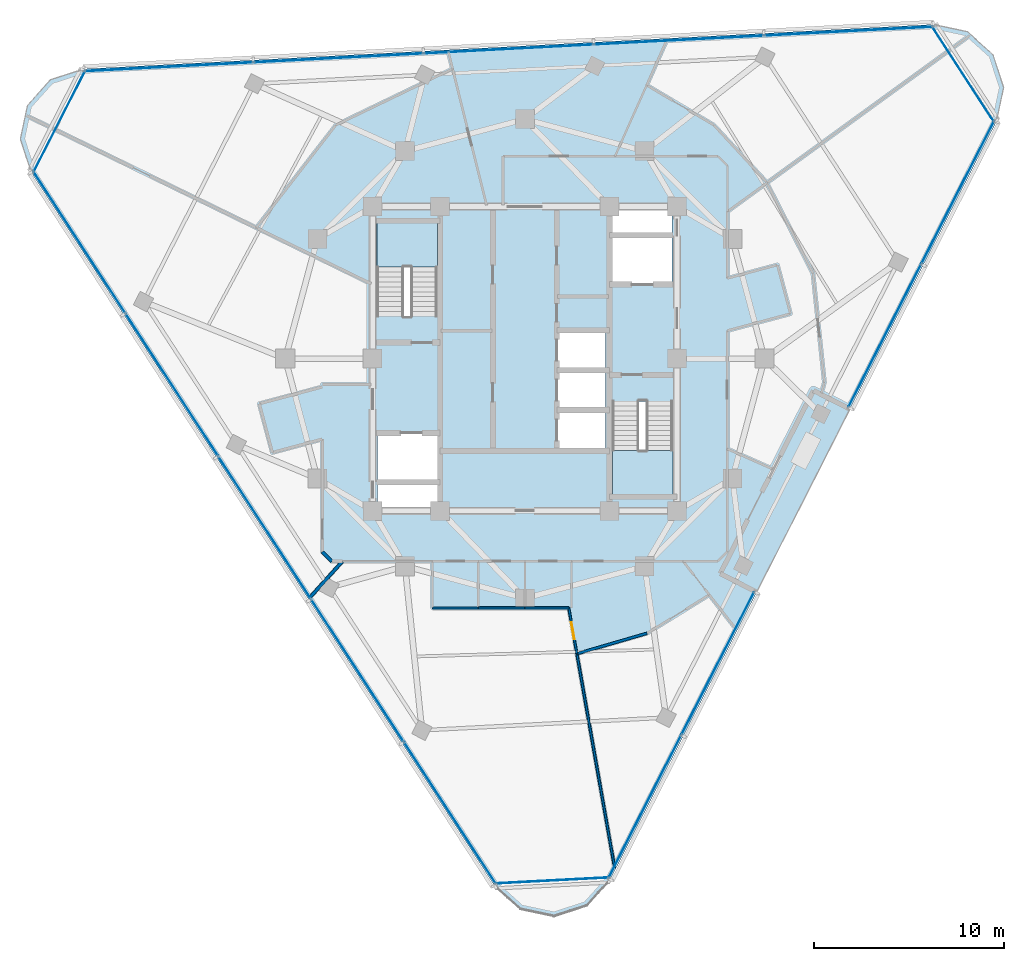
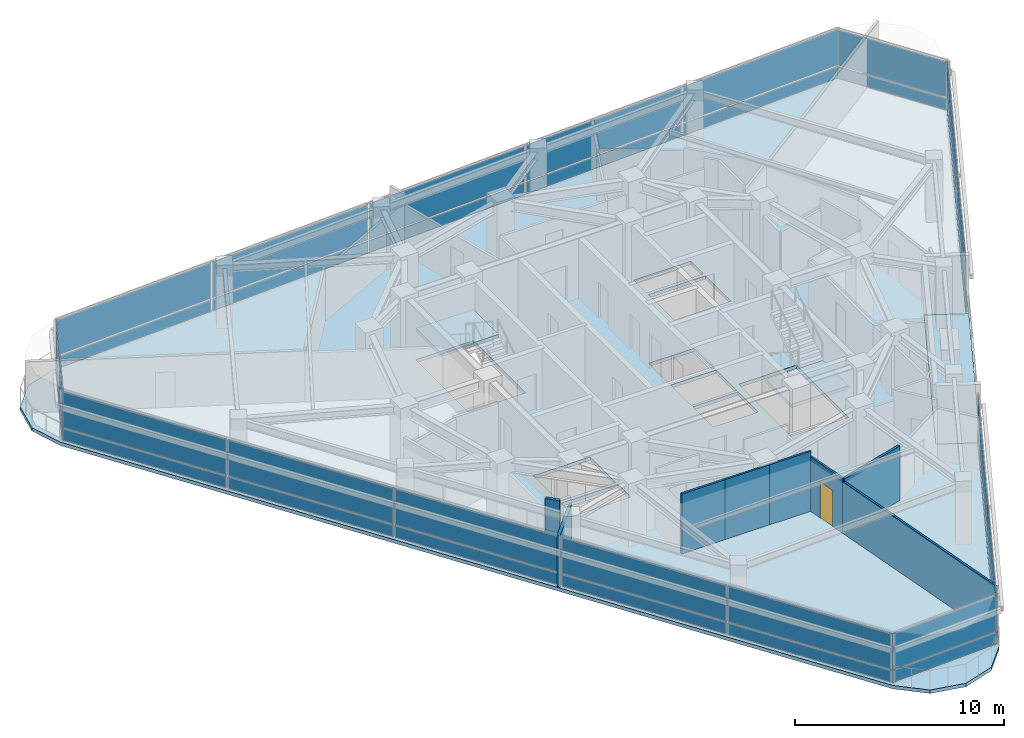
# One storey, part 7 of 15: 34 plates, 8 walls, 4 slabs, 1 door, 1 opening, 9 elements without a shape of their own.
"""IFC4 building model written with IfcOpenShell, lengths in metres."""

import ifcopenshell
import ifcopenshell.guid

model = None  # the IFC model being written
_history = None  # IfcOwnerHistory: only IFC2X3 demands one
_inside = {}  # id of a spatial element -> (the spatial element, [elements in it])
_under = {}  # id of a project, library or spatial element -> (it, [spatial elements below it])
_declared = {}  # id of a project -> (the project, [libraries it declares])
_typed = {}  # id of a type object -> (the type object, [elements of that type])
_made_of = {}  # id of a material, layer set ... -> (it, [elements and type objects made of it])


def new_model(schema):
    """Start an empty IFC model of exactly this schema.

    Asked for "IFC4X3", IfcOpenShell would pick the latest addendum, in which some entities
    have other attributes; the version numbers below select the first issue.
    IFC2X3 requires an IfcOwnerHistory on every rooted entity: one is made here for all.
    """
    global model, _history
    if schema == "IFC4X3":
        model = ifcopenshell.file(schema_version=(4, 3, 0, 0))
    else:
        model = ifcopenshell.file(schema=schema)
    _inside.clear()
    _under.clear()
    _declared.clear()
    _typed.clear()
    _made_of.clear()
    _history = None
    if model.schema == "IFC2X3":
        org = make("IfcOrganization", Name="unknown")
        user = make(
            "IfcPersonAndOrganization",
            ThePerson=make("IfcPerson", FamilyName="unknown"),
            TheOrganization=org,
        )
        app = make(
            "IfcApplication",
            ApplicationDeveloper=org,
            Version="unknown",
            ApplicationFullName="unknown",
            ApplicationIdentifier="unknown",
        )
        _history = make(
            "IfcOwnerHistory",
            OwningUser=user,
            OwningApplication=app,
            ChangeAction="ADDED",
            CreationDate=0,
        )
    return model


def make(cls, **values):
    """One entity of the class cls with the attributes given. An attribute that is None is left unset."""
    return model.create_entity(
        cls, **{name: value for name, value in values.items() if value is not None}
    )


def rooted(cls, **values):
    """An entity with a GlobalId (a new one), such as an element, a storey or a relation."""
    return make(cls, GlobalId=ifcopenshell.guid.new(), OwnerHistory=_history, **values)


def si_unit(unit_type, name, prefix=None):
    """IfcSIUnit, for example si_unit("LENGTHUNIT", "METRE", prefix="MILLI")."""
    return make("IfcSIUnit", UnitType=unit_type, Prefix=prefix, Name=name)


def assignment(units):
    """IfcUnitAssignment: the units of a project."""
    return None if units is None else make("IfcUnitAssignment", Units=units)


def point(xyz):
    """IfcCartesianPoint."""
    return None if xyz is None else make("IfcCartesianPoint", Coordinates=xyz)


def direction(xyz):
    """IfcDirection."""
    return None if xyz is None else make("IfcDirection", DirectionRatios=xyz)


def frame(location, z_axis=None, x_axis=None):
    """IfcAxis2Placement3D, a coordinate frame: its origin and axes. An axis left out is left unset."""
    return make(
        "IfcAxis2Placement3D",
        Location=point(location),
        Axis=direction(z_axis),
        RefDirection=direction(x_axis),
    )


def frame_2d(location, x_axis=None):
    """IfcAxis2Placement2D, a coordinate frame in the plane: its origin and x axis."""
    return make(
        "IfcAxis2Placement2D", Location=point(location), RefDirection=direction(x_axis)
    )


def origin():
    """The frame at (0, 0, 0) with its axes left unset."""
    return frame((0.0, 0.0, 0.0))


def origin_2d():
    """The frame at (0, 0) in the plane with its x axis left unset."""
    return frame_2d((0.0, 0.0))


def place(relative_to, where):
    """IfcLocalPlacement: puts the frame where relative to a parent placement (None: the world)."""
    return make(
        "IfcLocalPlacement", PlacementRelTo=relative_to, RelativePlacement=where
    )


def context(
    kind, dimensions, precision=None, world=None, true_north=None, identifier=None
):
    """IfcGeometricRepresentationContext, for example the 3D "Model" context."""
    return make(
        "IfcGeometricRepresentationContext",
        ContextIdentifier=identifier,
        ContextType=kind,
        CoordinateSpaceDimension=dimensions,
        Precision=precision,
        WorldCoordinateSystem=world,
        TrueNorth=true_north,
    )


def subcontext(parent, identifier, kind, view, scale=None):
    """IfcGeometricRepresentationSubContext, for example "Body" below "Model"."""
    return make(
        "IfcGeometricRepresentationSubContext",
        ContextIdentifier=identifier,
        ContextType=kind,
        ParentContext=parent,
        TargetScale=scale,
        TargetView=view,
    )


def project(units=None, contexts=None):
    """IfcProject with its units and contexts."""
    return rooted(
        "IfcProject",
        Name="project",
        RepresentationContexts=contexts,
        UnitsInContext=assignment(units),
    )


def spatial(cls, under=None, at=None, **own):
    """A site, building, storey or space (cls), placed at a placement, below another one or the project."""
    s = rooted(cls, ObjectPlacement=at, **own)
    if under is not None:
        _under.setdefault(under.id(), (under, []))[1].append(s)
    return s


def polyline(points):
    """IfcPolyline through the points."""
    return make("IfcPolyline", Points=[point(p) for p in points])


def profile(cls, at=None, kind="AREA", **sizes):
    """A parametric profile (cls). Its sizes go by their IFC names, for example OverallWidth=200.0."""
    return make(cls, ProfileType=kind, Position=at, **sizes)


def rectangle(**sizes):
    """IfcRectangleProfileDef."""
    return profile("IfcRectangleProfileDef", **sizes)


def outline(outer, holes=None, kind="AREA"):
    """IfcArbitraryClosedProfileDef: a profile drawn as a closed curve; with holes, ...WithVoids."""
    if holes is None:
        return make("IfcArbitraryClosedProfileDef", ProfileType=kind, OuterCurve=outer)
    return make(
        "IfcArbitraryProfileDefWithVoids",
        ProfileType=kind,
        OuterCurve=outer,
        InnerCurves=holes,
    )


def extrude(swept, where, along, depth):
    """IfcExtrudedAreaSolid: the profile swept, set in the frame where, extruded along a direction by depth."""
    return make(
        "IfcExtrudedAreaSolid",
        SweptArea=swept,
        Position=where,
        ExtrudedDirection=direction(along),
        Depth=depth,
    )


def shape(context_of_items, identifier, shape_type, items):
    """IfcShapeRepresentation: the items that make up one representation, for example the "Body"."""
    return make(
        "IfcShapeRepresentation",
        ContextOfItems=context_of_items,
        RepresentationIdentifier=identifier,
        RepresentationType=shape_type,
        Items=items,
    )


def material(Name=None, Category=None):
    """IfcMaterial."""
    return make("IfcMaterial", Name=Name, Category=Category)


def layer(
    of_material, thickness, ventilated=None, Name=None, Category=None, Priority=None
):
    """IfcMaterialLayer: one layer of a wall or slab, of a material (None: an air gap)."""
    return make(
        "IfcMaterialLayer",
        Material=of_material,
        LayerThickness=thickness,
        IsVentilated=ventilated,
        Name=Name,
        Category=Category,
        Priority=Priority,
    )


def layer_set(layers, Name=None):
    """IfcMaterialLayerSet."""
    return make("IfcMaterialLayerSet", MaterialLayers=layers, LayerSetName=Name)


def made_of(thing, what):
    """Note that an element or type object is made of a material, layer set ...; save() writes the relation."""
    if what is not None:
        _made_of.setdefault(what.id(), (what, []))[1].append(thing)
    return thing


def type_object(cls, material=None, **own):
    """A type object (cls), such as IfcWallType, which elements share."""
    return made_of(rooted(cls, **own), material)


def element(
    cls,
    number,
    at=None,
    inside=None,
    cuts=None,
    type_object=None,
    material=None,
    context=None,
    identifier="Body",
    shape_type=None,
    held_by="IfcProductDefinitionShape",
    body=None,
    shapes=None,
    **own,
):
    """One element of the class cls, such as IfcWall. Its Tag is "e" and its number.

    at: its placement. inside: the storey or other place that contains it. cuts: it is an
    opening in that element (IfcRelVoidsElement). A single representation is given by context,
    identifier, shape_type and body (its items); several are given by shapes. held_by: the class
    of the entity that holds the representations. save() writes the other relations.
    """
    e = rooted(cls, Tag="e%d" % number, ObjectPlacement=at, **own)
    if body is not None:
        shapes = [shape(context, identifier, shape_type, body)]
    if shapes is not None:
        e.Representation = make(held_by, Representations=shapes)
    if inside is not None:
        _inside.setdefault(inside.id(), (inside, []))[1].append(e)
    if cuts is not None:
        rooted(
            "IfcRelVoidsElement", RelatingBuildingElement=cuts, RelatedOpeningElement=e
        )
    if type_object is not None:
        _typed.setdefault(type_object.id(), (type_object, []))[1].append(e)
    return made_of(e, material)


def fill(opening, filler):
    """IfcRelFillsElement: the door or window that sits in an opening."""
    return rooted(
        "IfcRelFillsElement",
        RelatingOpeningElement=opening,
        RelatedBuildingElement=filler,
    )


def aggregate(whole, parts):
    """IfcRelAggregates: a whole, such as a stair, and the parts it consists of."""
    return rooted("IfcRelAggregates", RelatingObject=whole, RelatedObjects=parts)


def save(model, path):
    """Write the relations noted so far, then the file.

    IfcRelAggregates (storeys below a building ...), IfcRelContainedInSpatialStructure (elements
    in a storey), IfcRelDefinesByType, IfcRelAssociatesMaterial and IfcRelDeclares: one each for
    every whole, place, type object, material and project.
    """
    for whole, parts in _under.values():
        aggregate(whole, parts)
    for where, things in _inside.values():
        rooted(
            "IfcRelContainedInSpatialStructure",
            RelatedElements=things,
            RelatingStructure=where,
        )
    for kind, things in _typed.values():
        rooted("IfcRelDefinesByType", RelatedObjects=things, RelatingType=kind)
    for what, things in _made_of.values():
        rooted("IfcRelAssociatesMaterial", RelatedObjects=things, RelatingMaterial=what)
    for by, libraries in _declared.values():
        rooted("IfcRelDeclares", RelatingContext=by, RelatedDefinitions=libraries)
    model.write(path)


model = new_model("IFC4")

# Units and contexts
model_context = context("Model", 3, precision=1e-05, world=origin(), true_north=direction((0.0, 1.0)))
body_context = subcontext(model_context, "Body", "Model", "MODEL_VIEW")
ifc_project = project(units=[si_unit("LENGTHUNIT", "METRE"), si_unit("AREAUNIT", "SQUARE_METRE"), si_unit("VOLUMEUNIT", "CUBIC_METRE"), si_unit("PLANEANGLEUNIT", "RADIAN"), si_unit("MASSUNIT", "GRAM", prefix="KILO")], contexts=[model_context])

# Site, building, storey
site_placement = place(None, origin())
site = spatial("IfcSite", under=ifc_project, at=site_placement, CompositionType="ELEMENT")
building_placement = place(site_placement, origin())
building = spatial("IfcBuilding", under=site, at=building_placement, Name="Terralouvre Media Tower", CompositionType="ELEMENT")
storey_placement = place(building_placement, frame((0.0, 0.0, 252.199951171875)))
storey = spatial("IfcBuildingStorey", under=building, at=storey_placement, Name="L65", CompositionType="ELEMENT", Elevation=252.199951171875)

# Slabs
ifc_material_1 = material(Name="Concrete C40/50", Category="concrete")
ifc_layer_1 = layer(ifc_material_1, 0.199951171875, Name="Composite Tower Floor Slab S-TYP200")
ifc_layer_set_1 = layer_set([ifc_layer_1], Name="Concrete C40/50")
slab_type_1 = type_object("IfcSlabType", Name="Composite Tower Floor Slab S-TYP200", PredefinedType="FLOOR", material=ifc_layer_set_1)
slab_1_placement = place(storey_placement, frame((0.0, 0.0, -0.199951171875), z_axis=(0.0, 0.0, 1.0), x_axis=(0.45399049974, 0.891006524188, 0.0)))
element("IfcSlab", 1, at=slab_1_placement, inside=storey, type_object=slab_type_1, Name="L65 Structural Floor Slab", PredefinedType="FLOOR", context=body_context, shape_type="SweptSolid", body=[
    extrude(outline(polyline([(-22.39990234375, -16.4326171875), (-5.39990234375, -16.4326171875), (-5.39990234375, -14.28271484375), (5.39990234375, -14.28271484375), (5.39990234375, -16.4326171875), (22.39990234375, -16.4326171875), (24.14990234375, -15.963623046875), (25.43115234375, -14.6826171875), (25.89990234375, -12.9326171875), (25.43115234375, -11.1826171875), (3.031005859375, 27.615234375), (1.75, 28.896484375), (0.0, 29.365234375), (-1.75, 28.896484375), (-3.031005859375, 27.615234375), (-25.43115234375, -11.1826171875), (-25.89990234375, -12.9326171875), (-25.43115234375, -14.6826171875), (-24.14990234375, -15.963623046875), (-22.39990234375, -16.4326171875)]), holes=[polyline([(-7.968994140625, 1.102294921875), (-9.0380859375, 0.5576171875), (-10.46826171875, 3.3642578125), (-9.399169921875, 3.908935546875), (-7.968994140625, 1.102294921875)]), polyline([(-5.60791015625, 2.305419921875), (-7.790771484375, 1.193115234375), (-9.220947265625, 3.999755859375), (-7.037841796875, 5.112060546875), (-5.60791015625, 2.305419921875)]), polyline([(-4.38037109375, -7.39453125), (0.088134765625, -5.117919921875), (1.53173828125, -7.951171875), (-2.936767578125, -10.22802734375), (-4.38037109375, -7.39453125)]), polyline([(-0.547607421875, -5.048828125), (-2.276123046875, -5.9296875), (-3.4111328125, -3.7021484375), (-1.6826171875, -2.8212890625), (-0.547607421875, -5.048828125)]), polyline([(1.323486328125, -4.095458984375), (-0.405029296875, -4.976318359375), (-1.5400390625, -2.748779296875), (0.188720703125, -1.867919921875), (1.323486328125, -4.095458984375)]), polyline([(3.194580078125, -3.14208984375), (1.466064453125, -4.02294921875), (0.3310546875, -1.79541015625), (2.059814453125, -0.91455078125), (3.194580078125, -3.14208984375)]), polyline([(4.38037109375, 7.39453125), (-0.088134765625, 5.117919921875), (-1.53173828125, 7.951171875), (2.936767578125, 10.22802734375), (4.38037109375, 7.39453125)]), polyline([(7.037841796875, -5.112060546875), (5.60791015625, -2.305419921875), (7.790771484375, -1.193115234375), (9.220947265625, -3.999755859375), (7.037841796875, -5.112060546875)]), polyline([(9.399169921875, -3.908935546875), (7.968994140625, -1.102294921875), (9.0380859375, -0.5576171875), (10.46826171875, -3.3642578125), (9.399169921875, -3.908935546875)])]), origin(), (0.0, 0.0, 1.0), 0.199951171875),
])
ifc_material_2 = material(Name="Concrete C45/55", Category="concrete")
ifc_layer_2 = layer(ifc_material_2, 0.2099609375, Name="Planted Sky-Garden External Deck S-TER210")
ifc_layer_set_2 = layer_set([ifc_layer_2], Name="Concrete C45/55")
slab_type_2 = type_object("IfcSlabType", Name="Planted Sky-Garden External Deck S-TER210", PredefinedType="FLOOR", material=ifc_layer_set_2)
slab_2_placement = place(storey_placement, frame((0.0, 0.0, -0.2099609375), z_axis=(0.0, 0.0, 1.0), x_axis=(0.45399049974, 0.891006524188, 0.0)))
element("IfcSlab", 2, at=slab_2_placement, inside=storey, type_object=slab_type_2, Name="L65 Helical Planted Sky-Garden Deck 13", PredefinedType="FLOOR", context=body_context, shape_type="SweptSolid", body=[
    extrude(outline(polyline([(-5.39990234375, -16.4326171875), (5.39990234375, -16.4326171875), (5.39990234375, -14.28271484375), (-5.39990234375, -14.28271484375), (-5.39990234375, -16.4326171875)])), origin(), (0.0, 0.0, 1.0), 0.2099609375),
])

# Stair, slab
ifc_material_3 = material(Name="Concrete C45/55", Category="concrete")
stair_type_1 = type_object("IfcStairType", Name="Dogleg Stair Assembly ST-01", PredefinedType="HALF_TURN_STAIR", material=ifc_material_3)
stair_1_placement = place(storey_placement, origin())
stair_1 = element("IfcStair", 3, at=stair_1_placement, inside=storey, type_object=stair_type_1, Name="L65 Core Pressurised Exit Stair ST-01", PredefinedType="HALF_TURN_STAIR")
ifc_material_4 = material(Name="Concrete C45/55", Category="concrete")
ifc_layer_3 = layer(ifc_material_4, 0.199951171875, Name="Reinforced Concrete Stair Half-Landing SL-LD1")
ifc_layer_set_3 = layer_set([ifc_layer_3], Name="Concrete C45/55")
slab_type_3 = type_object("IfcSlabType", Name="Reinforced Concrete Stair Half-Landing SL-LD1", PredefinedType="LANDING", material=ifc_layer_set_3)
slab_3_placement = place(storey_placement, frame((0.0, 0.0, 1.650146484375)))
slab_3 = element("IfcSlab", 4, at=slab_3_placement, type_object=slab_type_3, Name="ST-01 landing 1", PredefinedType="LANDING", context=body_context, shape_type="SweptSolid", body=[
    extrude(outline(polyline([(-4.60009765625, 4.820068359375), (-4.60009765625, 7.260009765625), (-7.780029296875, 7.260009765625), (-7.780029296875, 4.820068359375), (-4.60009765625, 4.820068359375)])), origin(), (0.0, 0.0, 1.0), 0.199951171875),
])
aggregate(stair_1, [slab_3])

ifc_material_5 = material(Name="Concrete C45/55", Category="concrete")
stair_type_2 = type_object("IfcStairType", Name="Dogleg Stair Assembly ST-02", PredefinedType="HALF_TURN_STAIR", material=ifc_material_5)
stair_2_placement = place(storey_placement, origin())
stair_2 = element("IfcStair", 5, at=stair_2_placement, inside=storey, type_object=stair_type_2, Name="L65 Core Pressurised Exit Stair ST-02", PredefinedType="HALF_TURN_STAIR")
slab_4_placement = place(storey_placement, frame((0.0, 0.0, 1.650146484375)))
slab_4 = element("IfcSlab", 6, at=slab_4_placement, type_object=slab_type_3, Name="ST-02 landing 1", PredefinedType="LANDING", context=body_context, shape_type="SweptSolid", body=[
    extrude(outline(polyline([(4.60009765625, -4.820068359375), (4.60009765625, -7.260009765625), (7.780029296875, -7.260009765625), (7.780029296875, -4.820068359375), (4.60009765625, -4.820068359375)])), origin(), (0.0, 0.0, 1.0), 0.199951171875),
])
aggregate(stair_2, [slab_4])

# Curtain wall, plates
ifc_material_6 = material(Name="Low-iron laminated double glazing with solar-control coating", Category="glass")
ifc_layer_4 = layer(ifc_material_6, 0.1650390625, Name="Rounded Wind-Corner Curved Glazing CW-04")
ifc_layer_set_4 = layer_set([ifc_layer_4], Name="Low-iron laminated double glazing with solar-control coating")
curtain_wall_type_1 = type_object("IfcCurtainWallType", Name="Rounded Wind-Corner Curved Glazing CW-04", PredefinedType="NOTDEFINED", material=ifc_layer_set_4)
curtain_wall_1_placement = place(storey_placement, origin())
curtain_wall_1 = element("IfcCurtainWall", 7, at=curtain_wall_1_placement, inside=storey, type_object=curtain_wall_type_1, Name="L65 Rounded Wind-Corner Curtain Wall C0", PredefinedType="NOTDEFINED")
ifc_material_7 = material(Name="Low-iron laminated double glazing with solar-control coating", Category="glass")
ifc_layer_5 = layer(ifc_material_7, 0.0400390625, Name="Rounded Corner Laminated Vision Panel CWP-03")
ifc_layer_set_5 = layer_set([ifc_layer_5], Name="Low-iron laminated double glazing with solar-control coating")
plate_type_1 = type_object("IfcPlateType", Name="Rounded Corner Laminated Vision Panel CWP-03", PredefinedType="CURTAIN_PANEL", material=ifc_layer_set_5)
plate_1_placement = place(storey_placement, frame((1.43798828125, -27.437744140625, 0.074951171875), z_axis=(0.0, 0.0, 1.0), x_axis=(0.998629533744, 0.05233597552, 0.0)))
plate_1 = element("IfcPlate", 8, at=plate_1_placement, type_object=plate_type_1, Name="CW-04 panel 1.1", PredefinedType="CURTAIN_PANEL", context=body_context, shape_type="SweptSolid", body=[
    extrude(rectangle(XDim=5.912109375, YDim=0.035888671875, at=origin_2d()), origin(), (0.0, 0.0, 1.0), 0.6875),
])
plate_2_placement = place(storey_placement, frame((1.43798828125, -27.437744140625, 0.837646484375), z_axis=(0.0, 0.0, 1.0), x_axis=(0.998629533744, 0.05233597552, 0.0)))
plate_2 = element("IfcPlate", 9, at=plate_2_placement, type_object=plate_type_1, Name="CW-04 panel 1.2", PredefinedType="CURTAIN_PANEL", context=body_context, shape_type="SweptSolid", body=[
    extrude(rectangle(XDim=5.912109375, YDim=0.035888671875, at=origin_2d()), origin(), (0.0, 0.0, 1.0), 2.08740234375),
])
aggregate(curtain_wall_1, [plate_1, plate_2])

curtain_wall_2_placement = place(storey_placement, origin())
curtain_wall_2 = element("IfcCurtainWall", 10, at=curtain_wall_2_placement, inside=storey, type_object=curtain_wall_type_1, Name="L65 Rounded Wind-Corner Curtain Wall C1", PredefinedType="NOTDEFINED")
plate_3_placement = place(storey_placement, frame((23.042724609375, 14.964111328125, 0.074951171875), z_axis=(0.0, 0.0, 1.0), x_axis=(-0.544639197097, 0.838670462688, 0.0)))
plate_3 = element("IfcPlate", 11, at=plate_3_placement, type_object=plate_type_1, Name="CW-04 panel 1.1", PredefinedType="CURTAIN_PANEL", context=body_context, shape_type="SweptSolid", body=[
    extrude(rectangle(XDim=5.912109375, YDim=0.035888671875, at=origin_2d()), origin(), (0.0, 0.0, 1.0), 0.6875),
])
plate_4_placement = place(storey_placement, frame((23.042724609375, 14.964111328125, 0.837646484375), z_axis=(0.0, 0.0, 1.0), x_axis=(-0.544639197097, 0.838670462688, 0.0)))
plate_4 = element("IfcPlate", 12, at=plate_4_placement, type_object=plate_type_1, Name="CW-04 panel 1.2", PredefinedType="CURTAIN_PANEL", context=body_context, shape_type="SweptSolid", body=[
    extrude(rectangle(XDim=5.912109375, YDim=0.035888671875, at=origin_2d()), origin(), (0.0, 0.0, 1.0), 2.08740234375),
])
aggregate(curtain_wall_2, [plate_3, plate_4])

curtain_wall_3_placement = place(storey_placement, origin())
curtain_wall_3 = element("IfcCurtainWall", 13, at=curtain_wall_3_placement, inside=storey, type_object=curtain_wall_type_1, Name="L65 Rounded Wind-Corner Curtain Wall C2", PredefinedType="NOTDEFINED")
plate_5_placement = place(storey_placement, frame((-24.480712890625, 12.4736328125, 0.074951171875), z_axis=(0.0, 0.0, 1.0), x_axis=(-0.453990349937, -0.891006600517, 0.0)))
plate_5 = element("IfcPlate", 14, at=plate_5_placement, type_object=plate_type_1, Name="CW-04 panel 1.1", PredefinedType="CURTAIN_PANEL", context=body_context, shape_type="SweptSolid", body=[
    extrude(rectangle(XDim=5.912109375, YDim=0.035888671875, at=origin_2d()), origin(), (0.0, 0.0, 1.0), 0.6875),
])
plate_6_placement = place(storey_placement, frame((-24.480712890625, 12.4736328125, 0.837646484375), z_axis=(0.0, 0.0, 1.0), x_axis=(-0.453990349937, -0.891006600517, 0.0)))
plate_6 = element("IfcPlate", 15, at=plate_6_placement, type_object=plate_type_1, Name="CW-04 panel 1.2", PredefinedType="CURTAIN_PANEL", context=body_context, shape_type="SweptSolid", body=[
    extrude(rectangle(XDim=5.912109375, YDim=0.035888671875, at=origin_2d()), origin(), (0.0, 0.0, 1.0), 2.08740234375),
])
aggregate(curtain_wall_3, [plate_5, plate_6])

ifc_material_8 = material(Name="Low-iron laminated double glazing with solar-control coating", Category="glass")
ifc_layer_6 = layer(ifc_material_8, 0.1650390625, Name="Upper Executive Tower Curtain Wall CW-05")
ifc_layer_set_6 = layer_set([ifc_layer_6], Name="Low-iron laminated double glazing with solar-control coating")
curtain_wall_type_2 = type_object("IfcCurtainWallType", Name="Upper Executive Tower Curtain Wall CW-05", PredefinedType="NOTDEFINED", material=ifc_layer_set_6)
curtain_wall_4_placement = place(storey_placement, origin())
curtain_wall_4 = element("IfcCurtainWall", 16, at=curtain_wall_4_placement, inside=storey, type_object=curtain_wall_type_2, Name="L65 Left Flank Curtain Wall F0", PredefinedType="NOTDEFINED")
ifc_material_9 = material(Name="Low-iron laminated double glazing with solar-control coating", Category="glass")
ifc_layer_7 = layer(ifc_material_9, 0.035888671875, Name="Vision Double-Glazed Unit CWP-01")
ifc_layer_set_7 = layer_set([ifc_layer_7], Name="Low-iron laminated double glazing with solar-control coating")
plate_type_2 = type_object("IfcPlateType", Name="Vision Double-Glazed Unit CWP-01", PredefinedType="CURTAIN_PANEL", material=ifc_layer_set_7)
plate_7_placement = place(storey_placement, frame((6.30322265625, -23.560791015625, 0.074951171875), z_axis=(0.0, 0.0, 1.0), x_axis=(0.453989886735, 0.89100683653, 0.0)))
plate_7 = element("IfcPlate", 17, at=plate_7_placement, type_object=plate_type_2, Name="CW-05 panel 1.1", PredefinedType="CURTAIN_PANEL", context=body_context, shape_type="SweptSolid", body=[
    extrude(rectangle(XDim=8.387451171875, YDim=0.035888671875, at=origin_2d()), origin(), (0.0, 0.0, 1.0), 0.6875),
])
plate_8_placement = place(storey_placement, frame((6.30322265625, -23.560791015625, 0.837646484375), z_axis=(0.0, 0.0, 1.0), x_axis=(0.453989886735, 0.89100683653, 0.0)))
plate_8 = element("IfcPlate", 18, at=plate_8_placement, type_object=plate_type_2, Name="CW-05 panel 1.2", PredefinedType="CURTAIN_PANEL", context=body_context, shape_type="SweptSolid", body=[
    extrude(rectangle(XDim=8.387451171875, YDim=0.035888671875, at=origin_2d()), origin(), (0.0, 0.0, 1.0), 2.08740234375),
])
plate_9_placement = place(storey_placement, frame((10.145263671875, -16.020751953125, 0.074951171875), z_axis=(0.0, 0.0, 1.0), x_axis=(0.453989886735, 0.89100683653, 0.0)))
plate_9 = element("IfcPlate", 19, at=plate_9_placement, type_object=plate_type_2, Name="CW-05 panel 2.1", PredefinedType="CURTAIN_PANEL", context=body_context, shape_type="SweptSolid", body=[
    extrude(rectangle(XDim=8.387451171875, YDim=0.035888671875, at=origin_2d()), origin(), (0.0, 0.0, 1.0), 0.6875),
])
plate_10_placement = place(storey_placement, frame((10.145263671875, -16.020751953125, 0.837646484375), z_axis=(0.0, 0.0, 1.0), x_axis=(0.453989886735, 0.89100683653, 0.0)))
plate_10 = element("IfcPlate", 20, at=plate_10_placement, type_object=plate_type_2, Name="CW-05 panel 2.2", PredefinedType="CURTAIN_PANEL", context=body_context, shape_type="SweptSolid", body=[
    extrude(rectangle(XDim=8.387451171875, YDim=0.035888671875, at=origin_2d()), origin(), (0.0, 0.0, 1.0), 2.08740234375),
])
aggregate(curtain_wall_4, [plate_7, plate_8, plate_9, plate_10])

curtain_wall_5_placement = place(storey_placement, origin())
curtain_wall_5 = element("IfcCurtainWall", 21, at=curtain_wall_5_placement, inside=storey, type_object=curtain_wall_type_2, Name="L65 Right Flank Curtain Wall F0", PredefinedType="NOTDEFINED")
plate_11_placement = place(storey_placement, frame((18.924072265625, 1.209228515625, 0.074951171875), z_axis=(0.0, 0.0, 1.0), x_axis=(0.453991296619, 0.891006118157, 0.0)))
plate_11 = element("IfcPlate", 22, at=plate_11_placement, type_object=plate_type_2, Name="CW-05 panel 1.1", PredefinedType="CURTAIN_PANEL", context=body_context, shape_type="SweptSolid", body=[
    extrude(rectangle(XDim=8.387451171875, YDim=0.035888671875, at=origin_2d()), origin(), (0.0, 0.0, 1.0), 0.6875),
])
plate_12_placement = place(storey_placement, frame((18.924072265625, 1.209228515625, 0.837646484375), z_axis=(0.0, 0.0, 1.0), x_axis=(0.453991296619, 0.891006118157, 0.0)))
plate_12 = element("IfcPlate", 23, at=plate_12_placement, type_object=plate_type_2, Name="CW-05 panel 1.2", PredefinedType="CURTAIN_PANEL", context=body_context, shape_type="SweptSolid", body=[
    extrude(rectangle(XDim=8.387451171875, YDim=0.035888671875, at=origin_2d()), origin(), (0.0, 0.0, 1.0), 2.08740234375),
])
plate_13_placement = place(storey_placement, frame((22.76611328125, 8.749267578125, 0.074951171875), z_axis=(0.0, 0.0, 1.0), x_axis=(0.453991296619, 0.891006118157, 0.0)))
plate_13 = element("IfcPlate", 24, at=plate_13_placement, type_object=plate_type_2, Name="CW-05 panel 2.1", PredefinedType="CURTAIN_PANEL", context=body_context, shape_type="SweptSolid", body=[
    extrude(rectangle(XDim=8.387451171875, YDim=0.035888671875, at=origin_2d()), origin(), (0.0, 0.0, 1.0), 0.6875),
])
plate_14_placement = place(storey_placement, frame((22.76611328125, 8.749267578125, 0.837646484375), z_axis=(0.0, 0.0, 1.0), x_axis=(0.453991296619, 0.891006118157, 0.0)))
plate_14 = element("IfcPlate", 25, at=plate_14_placement, type_object=plate_type_2, Name="CW-05 panel 2.2", PredefinedType="CURTAIN_PANEL", context=body_context, shape_type="SweptSolid", body=[
    extrude(rectangle(XDim=8.387451171875, YDim=0.035888671875, at=origin_2d()), origin(), (0.0, 0.0, 1.0), 2.08740234375),
])
aggregate(curtain_wall_5, [plate_11, plate_12, plate_13, plate_14])

curtain_wall_6_placement = place(storey_placement, origin())
curtain_wall_6 = element("IfcCurtainWall", 26, at=curtain_wall_6_placement, inside=storey, type_object=curtain_wall_type_2, Name="L65 Facade Curtain Wall F1", PredefinedType="NOTDEFINED")
plate_15_placement = place(storey_placement, frame((17.02294921875, 17.22705078125, 0.074951171875), z_axis=(0.0, 0.0, 1.0), x_axis=(-0.998629523875, -0.052336163844, 0.0)))
plate_15 = element("IfcPlate", 27, at=plate_15_placement, type_object=plate_type_2, Name="CW-05 panel 1.1", PredefinedType="CURTAIN_PANEL", context=body_context, shape_type="SweptSolid", body=[
    extrude(rectangle(XDim=8.847412109375, YDim=0.035888671875, at=origin_2d()), origin(), (0.0, 0.0, 1.0), 0.6875),
])
plate_16_placement = place(storey_placement, frame((17.02294921875, 17.22705078125, 0.837646484375), z_axis=(0.0, 0.0, 1.0), x_axis=(-0.998629523875, -0.052336163844, 0.0)))
plate_16 = element("IfcPlate", 28, at=plate_16_placement, type_object=plate_type_2, Name="CW-05 panel 1.2", PredefinedType="CURTAIN_PANEL", context=body_context, shape_type="SweptSolid", body=[
    extrude(rectangle(XDim=8.847412109375, YDim=0.035888671875, at=origin_2d()), origin(), (0.0, 0.0, 1.0), 2.08740234375),
])
plate_17_placement = place(storey_placement, frame((8.093994140625, 16.75927734375, 0.074951171875), z_axis=(0.0, 0.0, 1.0), x_axis=(-0.998629523875, -0.052336163844, 0.0)))
plate_17 = element("IfcPlate", 29, at=plate_17_placement, type_object=plate_type_2, Name="CW-05 panel 2.1", PredefinedType="CURTAIN_PANEL", context=body_context, shape_type="SweptSolid", body=[
    extrude(rectangle(XDim=8.885009765625, YDim=0.035888671875, at=origin_2d()), origin(), (0.0, 0.0, 1.0), 0.6875),
])
plate_18_placement = place(storey_placement, frame((8.093994140625, 16.75927734375, 0.837646484375), z_axis=(0.0, 0.0, 1.0), x_axis=(-0.998629523875, -0.052336163844, 0.0)))
plate_18 = element("IfcPlate", 30, at=plate_18_placement, type_object=plate_type_2, Name="CW-05 panel 2.2", PredefinedType="CURTAIN_PANEL", context=body_context, shape_type="SweptSolid", body=[
    extrude(rectangle(XDim=8.885009765625, YDim=0.035888671875, at=origin_2d()), origin(), (0.0, 0.0, 1.0), 2.08740234375),
])
plate_19_placement = place(storey_placement, frame((-0.853759765625, 16.290283203125, 0.074951171875), z_axis=(0.0, 0.0, 1.0), x_axis=(-0.998629523875, -0.052336163844, 0.0)))
plate_19 = element("IfcPlate", 31, at=plate_19_placement, type_object=plate_type_2, Name="CW-05 panel 3.1", PredefinedType="CURTAIN_PANEL", context=body_context, shape_type="SweptSolid", body=[
    extrude(rectangle(XDim=8.885009765625, YDim=0.035888671875, at=origin_2d()), origin(), (0.0, 0.0, 1.0), 0.6875),
])
plate_20_placement = place(storey_placement, frame((-0.853759765625, 16.290283203125, 0.837646484375), z_axis=(0.0, 0.0, 1.0), x_axis=(-0.998629523875, -0.052336163844, 0.0)))
plate_20 = element("IfcPlate", 32, at=plate_20_placement, type_object=plate_type_2, Name="CW-05 panel 3.2", PredefinedType="CURTAIN_PANEL", context=body_context, shape_type="SweptSolid", body=[
    extrude(rectangle(XDim=8.885009765625, YDim=0.035888671875, at=origin_2d()), origin(), (0.0, 0.0, 1.0), 2.08740234375),
])
plate_21_placement = place(storey_placement, frame((-9.801513671875, 15.8212890625, 0.074951171875), z_axis=(0.0, 0.0, 1.0), x_axis=(-0.998629523875, -0.052336163844, 0.0)))
plate_21 = element("IfcPlate", 33, at=plate_21_placement, type_object=plate_type_2, Name="CW-05 panel 4.1", PredefinedType="CURTAIN_PANEL", context=body_context, shape_type="SweptSolid", body=[
    extrude(rectangle(XDim=8.885009765625, YDim=0.035888671875, at=origin_2d()), origin(), (0.0, 0.0, 1.0), 0.6875),
])
plate_22_placement = place(storey_placement, frame((-9.801513671875, 15.8212890625, 0.837646484375), z_axis=(0.0, 0.0, 1.0), x_axis=(-0.998629523875, -0.052336163844, 0.0)))
plate_22 = element("IfcPlate", 34, at=plate_22_placement, type_object=plate_type_2, Name="CW-05 panel 4.2", PredefinedType="CURTAIN_PANEL", context=body_context, shape_type="SweptSolid", body=[
    extrude(rectangle(XDim=8.885009765625, YDim=0.035888671875, at=origin_2d()), origin(), (0.0, 0.0, 1.0), 2.08740234375),
])
plate_23_placement = place(storey_placement, frame((-18.73046875, 15.353515625, 0.074951171875), z_axis=(0.0, 0.0, 1.0), x_axis=(-0.998629523875, -0.052336163844, 0.0)))
plate_23 = element("IfcPlate", 35, at=plate_23_placement, type_object=plate_type_2, Name="CW-05 panel 5.1", PredefinedType="CURTAIN_PANEL", context=body_context, shape_type="SweptSolid", body=[
    extrude(rectangle(XDim=8.847412109375, YDim=0.035888671875, at=origin_2d()), origin(), (0.0, 0.0, 1.0), 0.6875),
])
plate_24_placement = place(storey_placement, frame((-18.73046875, 15.353515625, 0.837646484375), z_axis=(0.0, 0.0, 1.0), x_axis=(-0.998629523875, -0.052336163844, 0.0)))
plate_24 = element("IfcPlate", 36, at=plate_24_placement, type_object=plate_type_2, Name="CW-05 panel 5.2", PredefinedType="CURTAIN_PANEL", context=body_context, shape_type="SweptSolid", body=[
    extrude(rectangle(XDim=8.847412109375, YDim=0.035888671875, at=origin_2d()), origin(), (0.0, 0.0, 1.0), 2.08740234375),
])
aggregate(curtain_wall_6, [plate_15, plate_16, plate_17, plate_18, plate_19, plate_20, plate_21, plate_22, plate_23, plate_24])

curtain_wall_7_placement = place(storey_placement, origin())
curtain_wall_7 = element("IfcCurtainWall", 37, at=curtain_wall_7_placement, inside=storey, type_object=curtain_wall_type_2, Name="L65 Facade Curtain Wall F2", PredefinedType="NOTDEFINED")
plate_25_placement = place(storey_placement, frame((-23.4306640625, 6.128662109375, 0.074951171875), z_axis=(0.0, 0.0, 1.0), x_axis=(0.544639069077, -0.838670545826, 0.0)))
plate_25 = element("IfcPlate", 38, at=plate_25_placement, type_object=plate_type_2, Name="CW-05 panel 1.1", PredefinedType="CURTAIN_PANEL", context=body_context, shape_type="SweptSolid", body=[
    extrude(rectangle(XDim=8.847412109375, YDim=0.035888671875, at=origin_2d()), origin(), (0.0, 0.0, 1.0), 0.6875),
])
plate_26_placement = place(storey_placement, frame((-23.4306640625, 6.128662109375, 0.837646484375), z_axis=(0.0, 0.0, 1.0), x_axis=(0.544639069077, -0.838670545826, 0.0)))
plate_26 = element("IfcPlate", 39, at=plate_26_placement, type_object=plate_type_2, Name="CW-05 panel 1.2", PredefinedType="CURTAIN_PANEL", context=body_context, shape_type="SweptSolid", body=[
    extrude(rectangle(XDim=8.847412109375, YDim=0.035888671875, at=origin_2d()), origin(), (0.0, 0.0, 1.0), 2.08740234375),
])
plate_27_placement = place(storey_placement, frame((-18.560791015625, -1.3701171875, 0.074951171875), z_axis=(0.0, 0.0, 1.0), x_axis=(0.544639069077, -0.838670545826, 0.0)))
plate_27 = element("IfcPlate", 40, at=plate_27_placement, type_object=plate_type_2, Name="CW-05 panel 2.1", PredefinedType="CURTAIN_PANEL", context=body_context, shape_type="SweptSolid", body=[
    extrude(rectangle(XDim=8.885009765625, YDim=0.035888671875, at=origin_2d()), origin(), (0.0, 0.0, 1.0), 0.6875),
])
plate_28_placement = place(storey_placement, frame((-18.560791015625, -1.3701171875, 0.837646484375), z_axis=(0.0, 0.0, 1.0), x_axis=(0.544639069077, -0.838670545826, 0.0)))
plate_28 = element("IfcPlate", 41, at=plate_28_placement, type_object=plate_type_2, Name="CW-05 panel 2.2", PredefinedType="CURTAIN_PANEL", context=body_context, shape_type="SweptSolid", body=[
    extrude(rectangle(XDim=8.885009765625, YDim=0.035888671875, at=origin_2d()), origin(), (0.0, 0.0, 1.0), 2.08740234375),
])
plate_29_placement = place(storey_placement, frame((-13.680908203125, -8.884521484375, 0.074951171875), z_axis=(0.0, 0.0, 1.0), x_axis=(0.544639069077, -0.838670545826, 0.0)))
plate_29 = element("IfcPlate", 42, at=plate_29_placement, type_object=plate_type_2, Name="CW-05 panel 3.1", PredefinedType="CURTAIN_PANEL", context=body_context, shape_type="SweptSolid", body=[
    extrude(rectangle(XDim=8.885009765625, YDim=0.035888671875, at=origin_2d()), origin(), (0.0, 0.0, 1.0), 0.6875),
])
plate_30_placement = place(storey_placement, frame((-13.680908203125, -8.884521484375, 0.837646484375), z_axis=(0.0, 0.0, 1.0), x_axis=(0.544639069077, -0.838670545826, 0.0)))
plate_30 = element("IfcPlate", 43, at=plate_30_placement, type_object=plate_type_2, Name="CW-05 panel 3.2", PredefinedType="CURTAIN_PANEL", context=body_context, shape_type="SweptSolid", body=[
    extrude(rectangle(XDim=8.885009765625, YDim=0.035888671875, at=origin_2d()), origin(), (0.0, 0.0, 1.0), 2.08740234375),
])
plate_31_placement = place(storey_placement, frame((-8.801025390625, -16.39892578125, 0.074951171875), z_axis=(0.0, 0.0, 1.0), x_axis=(0.544639069077, -0.838670545826, 0.0)))
plate_31 = element("IfcPlate", 44, at=plate_31_placement, type_object=plate_type_2, Name="CW-05 panel 4.1", PredefinedType="CURTAIN_PANEL", context=body_context, shape_type="SweptSolid", body=[
    extrude(rectangle(XDim=8.885009765625, YDim=0.035888671875, at=origin_2d()), origin(), (0.0, 0.0, 1.0), 0.6875),
])
plate_32_placement = place(storey_placement, frame((-8.801025390625, -16.39892578125, 0.837646484375), z_axis=(0.0, 0.0, 1.0), x_axis=(0.544639069077, -0.838670545826, 0.0)))
plate_32 = element("IfcPlate", 45, at=plate_32_placement, type_object=plate_type_2, Name="CW-05 panel 4.2", PredefinedType="CURTAIN_PANEL", context=body_context, shape_type="SweptSolid", body=[
    extrude(rectangle(XDim=8.885009765625, YDim=0.035888671875, at=origin_2d()), origin(), (0.0, 0.0, 1.0), 2.08740234375),
])
plate_33_placement = place(storey_placement, frame((-3.93115234375, -23.897705078125, 0.074951171875), z_axis=(0.0, 0.0, 1.0), x_axis=(0.544639069077, -0.838670545826, 0.0)))
plate_33 = element("IfcPlate", 46, at=plate_33_placement, type_object=plate_type_2, Name="CW-05 panel 5.1", PredefinedType="CURTAIN_PANEL", context=body_context, shape_type="SweptSolid", body=[
    extrude(rectangle(XDim=8.847412109375, YDim=0.035888671875, at=origin_2d()), origin(), (0.0, 0.0, 1.0), 0.6875),
])
plate_34_placement = place(storey_placement, frame((-3.93115234375, -23.897705078125, 0.837646484375), z_axis=(0.0, 0.0, 1.0), x_axis=(0.544639069077, -0.838670545826, 0.0)))
plate_34 = element("IfcPlate", 47, at=plate_34_placement, type_object=plate_type_2, Name="CW-05 panel 5.2", PredefinedType="CURTAIN_PANEL", context=body_context, shape_type="SweptSolid", body=[
    extrude(rectangle(XDim=8.847412109375, YDim=0.035888671875, at=origin_2d()), origin(), (0.0, 0.0, 1.0), 2.08740234375),
])
aggregate(curtain_wall_7, [plate_25, plate_26, plate_27, plate_28, plate_29, plate_30, plate_31, plate_32, plate_33, plate_34])

# Walls
ifc_material_10 = material(Name="Low-iron laminated double glazing with solar-control coating", Category="glass")
ifc_layer_8 = layer(ifc_material_10, 0.10009765625, Name="Demountable Glazed Office Partition PT-GL100")
ifc_layer_set_8 = layer_set([ifc_layer_8], Name="Low-iron laminated double glazing with solar-control coating")
wall_type_1 = type_object("IfcWallType", Name="Demountable Glazed Office Partition PT-GL100", PredefinedType="MOVABLE", material=ifc_layer_set_8)
wall_1_placement = place(storey_placement, frame((0.0, -13.10009765625, 0.0), z_axis=(0.0, 0.0, 1.0), x_axis=(-1.0, 0.0, 0.0)))
element("IfcWall", 48, at=wall_1_placement, inside=storey, type_object=wall_type_1, Name="L65 Interior Partition 037", PredefinedType="MOVABLE", context=body_context, shape_type="SweptSolid", body=[
    extrude(rectangle(XDim=2.449951171875, YDim=0.10009765625, at=frame_2d((1.22509765625, 0.0))), origin(), (0.0, 0.0, 1.0), 3.5),
])
wall_2_placement = place(storey_placement, frame((2.31005859375, -13.10009765625, 0.0), z_axis=(0.0, 0.0, 1.0), x_axis=(-1.0, 0.0, 0.0)))
element("IfcWall", 49, at=wall_2_placement, inside=storey, type_object=wall_type_1, Name="L65 Interior Partition 038", PredefinedType="MOVABLE", context=body_context, shape_type="SweptSolid", body=[
    extrude(rectangle(XDim=2.31005859375, YDim=0.10009765625, at=frame_2d((1.155029296875, 0.0))), origin(), (0.0, 0.0, 1.0), 3.5),
])
wall_3_placement = place(storey_placement, frame((4.718505859375, -26.75927734375, 0.0), z_axis=(0.0, 0.0, 1.0), x_axis=(-0.173635361328, 0.984810012793, 0.0)))
element("IfcWall", 50, at=wall_3_placement, inside=storey, type_object=wall_type_1, Name="L65 Interior Partition 039", PredefinedType="MOVABLE", context=body_context, shape_type="SweptSolid", body=[
    extrude(rectangle(XDim=11.4228515625, YDim=0.10009765625, at=frame_2d((5.71142578125, 0.0))), origin(), (0.0, 0.0, 1.0), 3.03515625),
])

# Wall, opening, door
wall_4_placement = place(storey_placement, frame((2.735107421875, -15.510009765625, 0.0), z_axis=(0.0, 0.0, 1.0), x_axis=(-0.173694270709, 0.984799624453, 0.0)))
wall_4 = element("IfcWall", 51, at=wall_4_placement, inside=storey, type_object=wall_type_1, Name="L65 Interior Partition 040", PredefinedType="MOVABLE", context=body_context, shape_type="SweptSolid", body=[
    extrude(rectangle(XDim=2.447021484375, YDim=0.10009765625, at=frame_2d((1.2236328125, 0.0))), origin(), (0.0, 0.0, 1.0), 3.18505859375),
])
opening_placement = place(wall_4_placement, frame((0.763671875, 0.0, 0.0)))
opening = element("IfcOpeningElement", 52, at=opening_placement, cuts=wall_4, Name="Opening ID-03-92X210", PredefinedType="OPENING", context=body_context, shape_type="SweptSolid", body=[
    extrude(rectangle(XDim=0.919921875, YDim=2.10009765625, at=frame_2d((0.4599609375, 1.050048828125))), frame((0.0, 0.06005859375, 0.0), z_axis=(0.0, -1.0, 0.0), x_axis=(1.0, 0.0, 0.0)), (0.0, 0.0, 1.0), 0.1201171875),
])
ifc_material_11 = material(Name="Engineered hardwood acoustic timber leaf", Category="wood")
door_type = type_object("IfcDoorType", Name="Accessible Restroom and Suite Door ID-03 (920x2100)", OperationType="NOTDEFINED", PredefinedType="DOOR", material=ifc_material_11)
door_placement = place(opening_placement, origin())
door = element("IfcDoor", 53, at=door_placement, inside=storey, type_object=door_type, Name="L65 Arts Critique Seminar Room 3 Door", OperationType="SINGLE_SWING_RIGHT", OverallHeight=2.10009765625, OverallWidth=0.919921875, PredefinedType="DOOR", context=body_context, shape_type="SweptSolid", body=[
    extrude(rectangle(XDim=0.919921875, YDim=2.10009765625, at=frame_2d((0.4599609375, 1.050048828125))), frame((0.0, 0.02490234375, 0.0), z_axis=(0.0, -1.0, 0.0), x_axis=(1.0, 0.0, 0.0)), (0.0, 0.0, 1.0), 0.050048828125),
])
fill(opening, door)

# Walls
ifc_material_12 = material(Name="Fire-rated gypsum board drywall partition")
ifc_layer_9 = layer(ifc_material_12, 0.135009765625, Name="Newsroom Acoustic Partition PT-135")
ifc_layer_set_9 = layer_set([ifc_layer_9], Name="Fire-rated gypsum board drywall partition")
wall_type_2 = type_object("IfcWallType", Name="Newsroom Acoustic Partition PT-135", PredefinedType="PARTITIONING", material=ifc_layer_set_9)
wall_5_placement = place(storey_placement, frame((6.426025390625, -14.43408203125, 0.0), z_axis=(0.0, 0.0, 1.0), x_axis=(-0.960041241254, -0.279858562654, 0.0)))
element("IfcWall", 54, at=wall_5_placement, inside=storey, type_object=wall_type_2, Name="L65 Interior Partition 044", PredefinedType="PARTITIONING", context=body_context, shape_type="SweptSolid", body=[
    extrude(rectangle(XDim=3.844482421875, YDim=0.135009765625, at=frame_2d((1.92236328125, 0.0))), origin(), (0.0, 0.0, 1.0), 3.18505859375),
])
ifc_material_13 = material(Name="Fire-rated gypsum board drywall partition")
ifc_layer_10 = layer(ifc_material_13, 0.114990234375, Name="Restroom and Pantry Partition PT-115")
ifc_layer_set_10 = layer_set([ifc_layer_10], Name="Fire-rated gypsum board drywall partition")
wall_type_3 = type_object("IfcWallType", Name="Restroom and Pantry Partition PT-115", PredefinedType="PARTITIONING", material=ifc_layer_set_10)
wall_6_placement = place(storey_placement, frame((-4.85009765625, -13.10009765625, 0.0), z_axis=(0.0, 0.0, 1.0), x_axis=(1.0, 0.0, 0.0)))
element("IfcWall", 55, at=wall_6_placement, inside=storey, type_object=wall_type_3, Name="L65 Interior Partition 035", PredefinedType="PARTITIONING", context=body_context, shape_type="SweptSolid", body=[
    extrude(rectangle(XDim=2.400146484375, YDim=0.114990234375, at=frame_2d((1.2001953125, 0.0))), origin(), (0.0, 0.0, 1.0), 3.5),
])
ifc_material_14 = material(Name="Fire-rated gypsum board drywall partition")
ifc_layer_11 = layer(ifc_material_14, 0.159912109375, Name="Studio Acoustic Rated Partition PT-160")
ifc_layer_set_11 = layer_set([ifc_layer_11], Name="Fire-rated gypsum board drywall partition")
wall_type_4 = type_object("IfcWallType", Name="Studio Acoustic Rated Partition PT-160", PredefinedType="PARTITIONING", material=ifc_layer_set_11)
wall_7_placement = place(storey_placement, frame((-10.64990234375, -10.14990234375, 0.0), z_axis=(0.0, 0.0, 1.0), x_axis=(0.707106781187, -0.707106781187, 0.0)))
element("IfcWall", 56, at=wall_7_placement, inside=storey, type_object=wall_type_4, Name="L65 Interior Partition 006", PredefinedType="PARTITIONING", context=body_context, shape_type="SweptSolid", body=[
    extrude(rectangle(XDim=0.70703125, YDim=0.159912109375, at=frame_2d((0.353515625, 0.0))), origin(), (0.0, 0.0, 1.0), 3.5),
])
wall_8_placement = place(storey_placement, frame((-11.327880859375, -12.5810546875, 0.0), z_axis=(0.0, 0.0, 1.0), x_axis=(0.669120437161, 0.743153981739, 0.0)))
element("IfcWall", 57, at=wall_8_placement, inside=storey, type_object=wall_type_4, Name="L65 Interior Partition 026", PredefinedType="PARTITIONING", context=body_context, shape_type="SweptSolid", body=[
    extrude(rectangle(XDim=2.5986328125, YDim=0.159912109375, at=frame_2d((1.29931640625, 0.0))), origin(), (0.0, 0.0, 1.0), 3.03515625),
])

save(model, "model.ifc")
